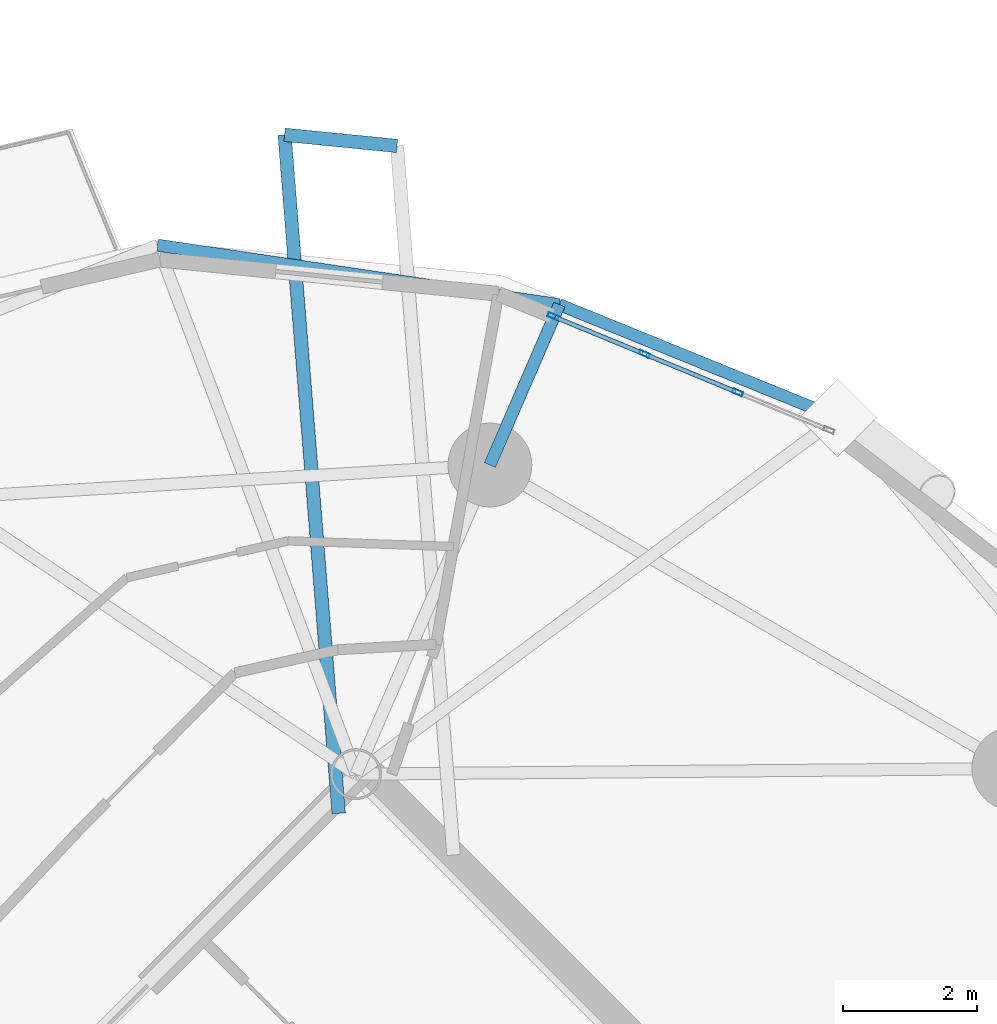
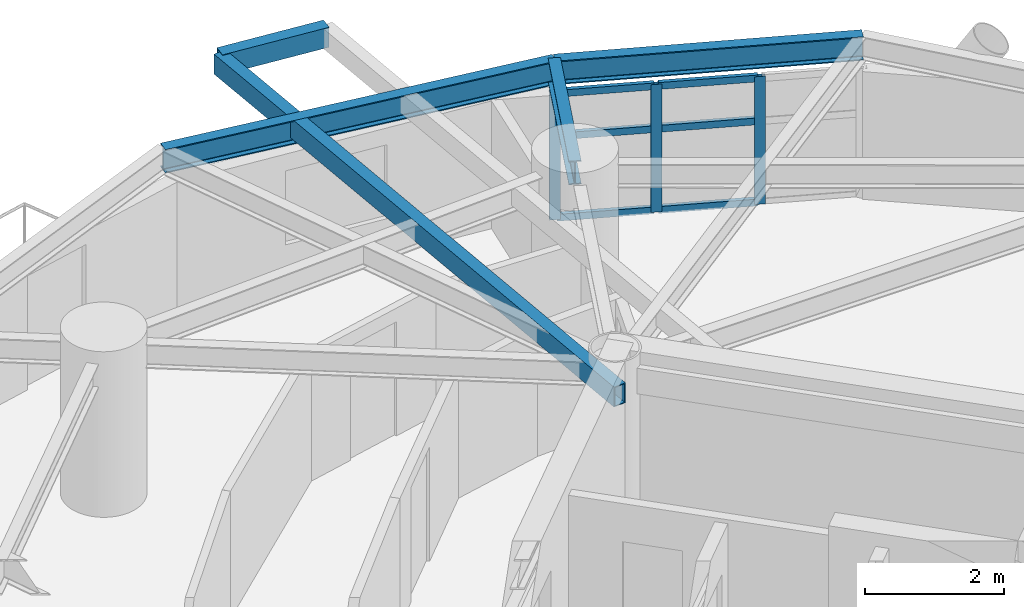
# One storey, part 7 of 19: 9 members, 5 beams, 1 element without a shape of its own.
"""IFC4 building model written with IfcOpenShell, lengths in metres."""

from ifc_helpers import new_model, si_unit, direction, frame, origin, origin_2d, place, context, subcontext, project, spatial, hollow_rectangle, i_section, extrude, material, layer, layer_set, material_profile, profile_set, type_object, element, aggregate, save


model = new_model("IFC4")

# Units and contexts
model_context = context("Model", 3, precision=1e-05, world=origin(), true_north=direction((0.0, 1.0)))
body_context = subcontext(model_context, "Body", "Model", "MODEL_VIEW")
ifc_project = project(units=[si_unit("LENGTHUNIT", "METRE"), si_unit("AREAUNIT", "SQUARE_METRE"), si_unit("VOLUMEUNIT", "CUBIC_METRE"), si_unit("PLANEANGLEUNIT", "RADIAN"), si_unit("MASSUNIT", "GRAM", prefix="KILO")], contexts=[model_context])

# Site, building, storey
site_placement = place(None, origin())
site = spatial("IfcSite", under=ifc_project, at=site_placement, CompositionType="ELEMENT")
building_placement = place(site_placement, origin())
building = spatial("IfcBuilding", under=site, at=building_placement, Name="Cununo Teusaquillo Station Towers", CompositionType="ELEMENT")
storey_placement = place(building_placement, frame((0.0, 0.0, 160.330078125)))
storey = spatial("IfcBuildingStorey", under=building, at=storey_placement, Name="L50", CompositionType="ELEMENT", Elevation=160.330078125)

# Beams
ifc_material_1 = material(Name="Steel EN 10025-2 S355J2", Category="steel")
ifc_material_profile_1 = material_profile(ifc_material_1, hollow_rectangle(XDim=0.199951171875, YDim=0.35009765625, WallThickness=0.013916015625, at=origin_2d()), Name="RHS 350x200x14")
ifc_profile_set_1 = profile_set([ifc_material_profile_1], Name="Steel EN 10025-2 S355J2")
beam_type_1 = type_object("IfcBeamType", Name="BM-BAL-CANT", PredefinedType="BEAM", material=ifc_profile_set_1)
beam_1_placement = place(storey_placement, frame((56.03515625, 32.439697265625, 2.514892578125), z_axis=(-0.079465216198, 0.996837639445, 0.0), x_axis=(-0.996837639445, -0.079465216198, 0.0)))
element("IfcBeam", 1, at=beam_1_placement, inside=storey, type_object=beam_type_1, Name="L50 Tower B Balcony Cantilever Bracket 1B", PredefinedType="BEAM", context=body_context, shape_type="SweptSolid", body=[
    extrude(hollow_rectangle(XDim=0.199951171875, YDim=0.35009765625, WallThickness=0.013916015625, at=origin_2d()), origin(), (0.0, 0.0, 1.0), 10.154052734375),
])
ifc_material_2 = material(Name="Steel ASTM A572 Grade 50", Category="steel")
ifc_material_profile_2 = material_profile(ifc_material_2, i_section(OverallWidth=0.180908203125, OverallDepth=0.4169921875, WebThickness=0.010986328125, FlangeThickness=0.018310546875, FilletRadius=0.012939453125, at=origin_2d()), Name="W16X57")
ifc_profile_set_2 = profile_set([ifc_material_profile_2], Name="Steel ASTM A572 Grade 50")
beam_type_2 = type_object("IfcBeamType", Name="BM-RAD-G2", PredefinedType="BEAM", material=ifc_profile_set_2)
beam_2_placement = place(storey_placement, frame((58.291015625, 37.63525390625, 2.4814453125), z_axis=(0.397431352311, 0.917631908883, 0.0), x_axis=(-0.917631908883, 0.397431352311, 0.0)))
element("IfcBeam", 2, at=beam_2_placement, inside=storey, type_object=beam_type_2, Name="L50 Tower B Perimeter Overhang Girder 02B", PredefinedType="BEAM", context=body_context, shape_type="SweptSolid", body=[
    extrude(i_section(OverallWidth=0.180908203125, OverallDepth=0.4169921875, WebThickness=0.010986328125, FlangeThickness=0.018310546875, FilletRadius=0.012939453125, at=origin_2d()), origin(), (0.0, 0.0, 1.0), 2.607177734375),
])
ifc_material_3 = material(Name="Steel ASTM A572 Grade 50", Category="steel")
ifc_material_profile_3 = material_profile(ifc_material_3, i_section(OverallWidth=0.180908203125, OverallDepth=0.4169921875, WebThickness=0.010986328125, FlangeThickness=0.018310546875, FilletRadius=0.012939453125, at=origin_2d()), Name="W16X57")
ifc_profile_set_3 = profile_set([ifc_material_profile_3], Name="Steel ASTM A572 Grade 50")
beam_type_3 = type_object("IfcBeamType", Name="BM-RING-Z3", PredefinedType="SPANDREL", material=ifc_profile_set_3)
beam_3_placement = place(storey_placement, frame((63.478271484375, 38.340087890625, 2.4814453125), z_axis=(-0.926380466449, 0.376588942192, 0.0), x_axis=(-0.376588942192, -0.926380466449, 0.0)))
element("IfcBeam", 3, at=beam_3_placement, inside=storey, type_object=beam_type_3, Name="L50 Tower B Spandrel Ring Beam 02", PredefinedType="SPANDREL", context=body_context, shape_type="SweptSolid", body=[
    extrude(i_section(OverallWidth=0.180908203125, OverallDepth=0.4169921875, WebThickness=0.010986328125, FlangeThickness=0.018310546875, FilletRadius=0.012939453125, at=origin_2d()), origin(), (0.0, 0.0, 1.0), 4.48095703125),
])
beam_4_placement = place(storey_placement, frame((59.3271484375, 40.027587890625, 2.4814453125), z_axis=(-0.989205409176, 0.146535519435, 0.0), x_axis=(-0.146535519435, -0.989205409176, 0.0)))
element("IfcBeam", 4, at=beam_4_placement, inside=storey, type_object=beam_type_3, Name="L50 Tower B Spandrel Ring Beam 03", PredefinedType="SPANDREL", context=body_context, shape_type="SweptSolid", body=[
    extrude(i_section(OverallWidth=0.180908203125, OverallDepth=0.4169921875, WebThickness=0.010986328125, FlangeThickness=0.018310546875, FilletRadius=0.012939453125, at=origin_2d()), origin(), (0.0, 0.0, 1.0), 6.0595703125),
])
ifc_material_4 = material(Name="Steel EN 10025-2 S355J2", Category="steel")
ifc_material_profile_4 = material_profile(ifc_material_4, hollow_rectangle(XDim=0.199951171875, YDim=0.35009765625, WallThickness=0.013916015625, at=origin_2d()), Name="RHS 350x200x14")
ifc_profile_set_4 = profile_set([ifc_material_profile_4], Name="Steel EN 10025-2 S355J2")
beam_type_4 = type_object("IfcBeamType", Name="BM-STAIR-TRIM", PredefinedType="BEAM", material=ifc_profile_set_4)
beam_5_placement = place(storey_placement, frame((56.905517578125, 42.3955078125, 2.52490234375), z_axis=(-0.995137076622, 0.098499739753, 0.0), x_axis=(-0.098499739753, -0.995137076622, 0.0)))
element("IfcBeam", 5, at=beam_5_placement, inside=storey, type_object=beam_type_4, Name="L50 Tower B Balcony Edge Trimmer Beam 1", PredefinedType="BEAM", context=body_context, shape_type="SweptSolid", body=[
    extrude(hollow_rectangle(XDim=0.199951171875, YDim=0.35009765625, WallThickness=0.013916015625, at=origin_2d()), origin(), (0.0, 0.0, 1.0), 1.685546875),
])

# Curtain wall, members
ifc_material_5 = material(Name="Operable acoustic tinted low-E double glazing", Category="glass")
ifc_layer = layer(ifc_material_5, 0.179931640625)
ifc_layer_set = layer_set([ifc_layer], Name="Operable acoustic tinted low-E double glazing")
curtain_wall_type = type_object("IfcCurtainWallType", Name="CW-SYS-06", PredefinedType="USERDEFINED", material=ifc_layer_set)
curtain_wall_placement = place(storey_placement, origin())
curtain_wall = element("IfcCurtainWall", 6, at=curtain_wall_placement, inside=storey, type_object=curtain_wall_type, Name="L50 Tower B Facade Curtain Wall C01", ObjectType="OPERABLE GLAZING", PredefinedType="USERDEFINED")
ifc_material_6 = material(Name="Anodised dark bronze aluminium EN AW-6063-T6", Category="aluminium")
ifc_material_profile_5 = material_profile(ifc_material_6, hollow_rectangle(XDim=0.06494140625, YDim=0.159912109375, WallThickness=0.00390625, at=origin_2d()), Name="CW-MULL-65x160")
ifc_profile_set_5 = profile_set([ifc_material_profile_5], Name="Anodised dark bronze aluminium EN AW-6063-T6")
member_type_1 = type_object("IfcMemberType", Name="CWM-160", PredefinedType="MULLION", material=ifc_profile_set_5)
member_1_placement = place(storey_placement, frame((59.233642578125, 39.852783203125, 0.0), z_axis=(0.0, 0.0, 1.0), x_axis=(0.381121790423, 0.924524840588, 0.0)))
member_1 = element("IfcMember", 7, at=member_1_placement, type_object=member_type_1, Name="CW-06 mullion 1", PredefinedType="MULLION", context=body_context, shape_type="SweptSolid", body=[
    extrude(hollow_rectangle(XDim=0.06494140625, YDim=0.159912109375, WallThickness=0.00390625, at=origin_2d()), origin(), (0.0, 0.0, 1.0), 2.244873046875),
])
member_2_placement = place(storey_placement, frame((60.59521484375, 39.29150390625, 0.0), z_axis=(0.0, 0.0, 1.0), x_axis=(0.381121790423, 0.924524840588, 0.0)))
member_2 = element("IfcMember", 8, at=member_2_placement, type_object=member_type_1, Name="CW-06 mullion 2", PredefinedType="MULLION", context=body_context, shape_type="SweptSolid", body=[
    extrude(hollow_rectangle(XDim=0.06494140625, YDim=0.159912109375, WallThickness=0.00390625, at=origin_2d()), origin(), (0.0, 0.0, 1.0), 2.244873046875),
])
member_3_placement = place(storey_placement, frame((61.98681640625, 38.7177734375, 0.0), z_axis=(0.0, 0.0, 1.0), x_axis=(0.381121790423, 0.924524840588, 0.0)))
member_3 = element("IfcMember", 9, at=member_3_placement, type_object=member_type_1, Name="CW-06 mullion 3", PredefinedType="MULLION", context=body_context, shape_type="SweptSolid", body=[
    extrude(hollow_rectangle(XDim=0.06494140625, YDim=0.159912109375, WallThickness=0.00390625, at=origin_2d()), origin(), (0.0, 0.0, 1.0), 2.244873046875),
])
ifc_material_7 = material(Name="Anodised dark bronze aluminium EN AW-6063-T6", Category="aluminium")
ifc_material_profile_6 = material_profile(ifc_material_7, hollow_rectangle(XDim=0.06494140625, YDim=0.1201171875, WallThickness=0.00390625, at=origin_2d()), Name="CW-TRAN-65x120")
ifc_profile_set_6 = profile_set([ifc_material_profile_6], Name="Anodised dark bronze aluminium EN AW-6063-T6")
member_type_2 = type_object("IfcMemberType", Name="CWT-120", PredefinedType="USERDEFINED", material=ifc_profile_set_6)
member_4_placement = place(storey_placement, frame((59.263916015625, 39.84033203125, 0.032470703125), z_axis=(0.924537934154, -0.381090026517, 0.0), x_axis=(0.381090026517, 0.924537934154, 0.0)))
member_4 = element("IfcMember", 10, at=member_4_placement, type_object=member_type_2, Name="CW-06 transom 1.1", ObjectType="TRANSOM", PredefinedType="USERDEFINED", context=body_context, shape_type="SweptSolid", body=[
    extrude(hollow_rectangle(XDim=0.06494140625, YDim=0.1201171875, WallThickness=0.00390625, at=origin_2d()), origin(), (0.0, 0.0, 1.0), 1.407470703125),
])
member_5_placement = place(storey_placement, frame((59.263916015625, 39.84033203125, 1.458984375), z_axis=(0.924537934154, -0.381090026517, 0.0), x_axis=(0.381090026517, 0.924537934154, 0.0)))
member_5 = element("IfcMember", 11, at=member_5_placement, type_object=member_type_2, Name="CW-06 transom 1.2", ObjectType="TRANSOM", PredefinedType="USERDEFINED", context=body_context, shape_type="SweptSolid", body=[
    extrude(hollow_rectangle(XDim=0.06494140625, YDim=0.1201171875, WallThickness=0.00390625, at=origin_2d()), origin(), (0.0, 0.0, 1.0), 1.407470703125),
])
member_6_placement = place(storey_placement, frame((59.263916015625, 39.84033203125, 2.21240234375), z_axis=(0.924537934154, -0.381090026517, 0.0), x_axis=(0.381090026517, 0.924537934154, 0.0)))
member_6 = element("IfcMember", 12, at=member_6_placement, type_object=member_type_2, Name="CW-06 transom 1.3", ObjectType="TRANSOM", PredefinedType="USERDEFINED", context=body_context, shape_type="SweptSolid", body=[
    extrude(hollow_rectangle(XDim=0.06494140625, YDim=0.1201171875, WallThickness=0.00390625, at=origin_2d()), origin(), (0.0, 0.0, 1.0), 1.407470703125),
])
member_7_placement = place(storey_placement, frame((60.625244140625, 39.279052734375, 0.032470703125), z_axis=(0.924544635002, -0.381073769616, 0.0), x_axis=(0.381073769616, 0.924544635002, 0.0)))
member_7 = element("IfcMember", 13, at=member_7_placement, type_object=member_type_2, Name="CW-06 transom 2.1", ObjectType="TRANSOM", PredefinedType="USERDEFINED", context=body_context, shape_type="SweptSolid", body=[
    extrude(hollow_rectangle(XDim=0.06494140625, YDim=0.1201171875, WallThickness=0.00390625, at=origin_2d()), origin(), (0.0, 0.0, 1.0), 1.440185546875),
])
member_8_placement = place(storey_placement, frame((60.625244140625, 39.279052734375, 1.458984375), z_axis=(0.924544635002, -0.381073769616, 0.0), x_axis=(0.381073769616, 0.924544635002, 0.0)))
member_8 = element("IfcMember", 14, at=member_8_placement, type_object=member_type_2, Name="CW-06 transom 2.2", ObjectType="TRANSOM", PredefinedType="USERDEFINED", context=body_context, shape_type="SweptSolid", body=[
    extrude(hollow_rectangle(XDim=0.06494140625, YDim=0.1201171875, WallThickness=0.00390625, at=origin_2d()), origin(), (0.0, 0.0, 1.0), 1.440185546875),
])
member_9_placement = place(storey_placement, frame((60.625244140625, 39.279052734375, 2.21240234375), z_axis=(0.924544635002, -0.381073769616, 0.0), x_axis=(0.381073769616, 0.924544635002, 0.0)))
member_9 = element("IfcMember", 15, at=member_9_placement, type_object=member_type_2, Name="CW-06 transom 2.3", ObjectType="TRANSOM", PredefinedType="USERDEFINED", context=body_context, shape_type="SweptSolid", body=[
    extrude(hollow_rectangle(XDim=0.06494140625, YDim=0.1201171875, WallThickness=0.00390625, at=origin_2d()), origin(), (0.0, 0.0, 1.0), 1.440185546875),
])
aggregate(curtain_wall, [member_1, member_2, member_3, member_4, member_5, member_6, member_7, member_8, member_9])

save(model, "model.ifc")
